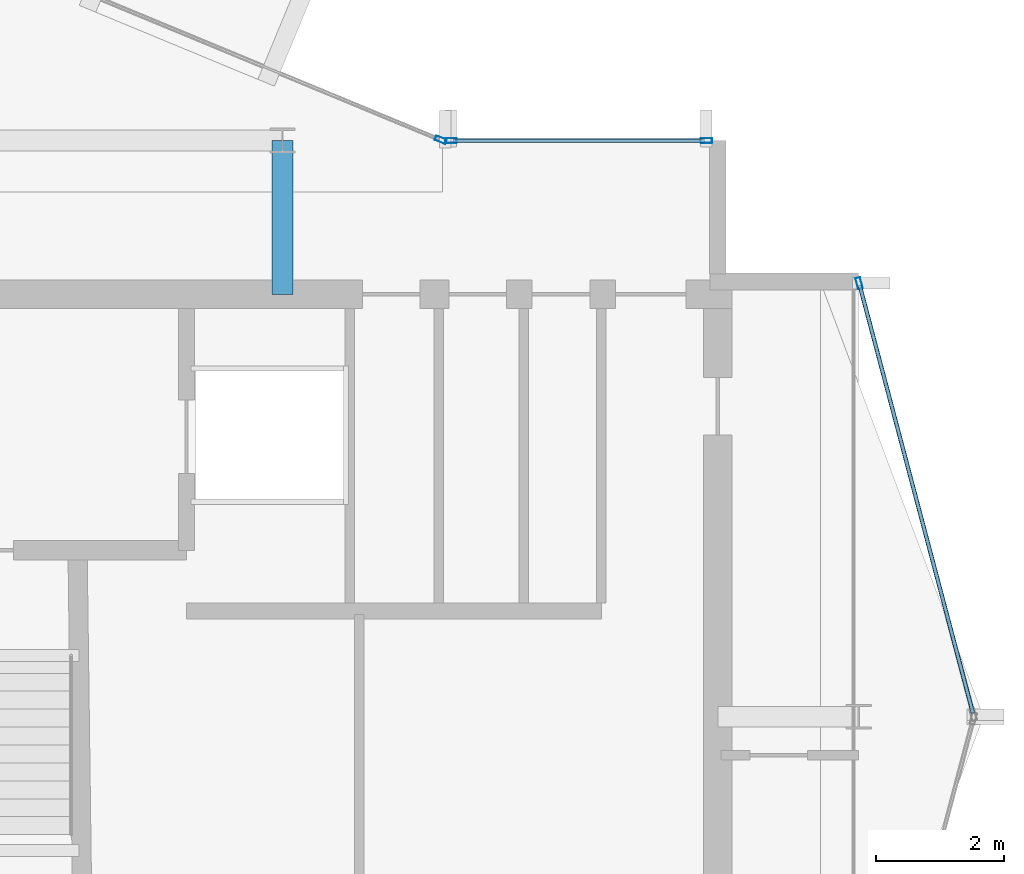
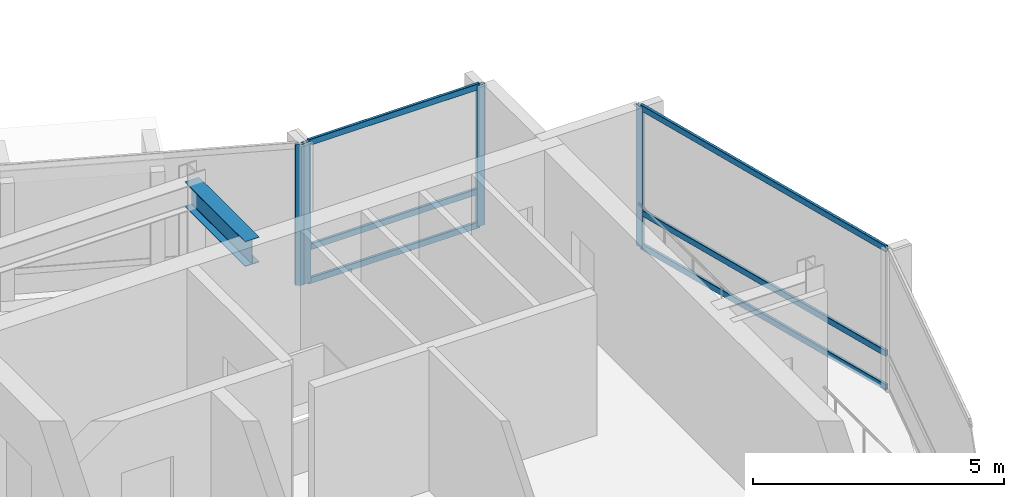
# One storey, part 10 of 19: 10 members, 1 beam, 3 elements without a shape of their own.
"""IFC4 building model written with IfcOpenShell, lengths in metres."""

from ifc_helpers import new_model, si_unit, direction, frame, origin, origin_2d, place, context, subcontext, project, spatial, hollow_rectangle, i_section, extrude, material, layer, layer_set, material_profile, profile_set, type_object, element, aggregate, save


model = new_model("IFC4")

# Units and contexts
model_context = context("Model", 3, precision=1e-05, world=origin(), true_north=direction((0.0, 1.0)))
body_context = subcontext(model_context, "Body", "Model", "MODEL_VIEW")
ifc_project = project(units=[si_unit("LENGTHUNIT", "METRE"), si_unit("AREAUNIT", "SQUARE_METRE"), si_unit("VOLUMEUNIT", "CUBIC_METRE"), si_unit("PLANEANGLEUNIT", "RADIAN"), si_unit("MASSUNIT", "GRAM", prefix="KILO")], contexts=[model_context])

# Site, building, storey
site_placement = place(None, origin())
site = spatial("IfcSite", under=ifc_project, at=site_placement, CompositionType="ELEMENT")
building_placement = place(site_placement, origin())
building = spatial("IfcBuilding", under=site, at=building_placement, Name="Solvaryn Broadcast Tower", CompositionType="ELEMENT")
storey_placement = place(building_placement, frame((0.0, 0.0, 255.60009765625)))
storey = spatial("IfcBuildingStorey", under=building, at=storey_placement, Name="L64", CompositionType="ELEMENT", Elevation=255.60009765625)

# Beam
ifc_material_1 = material(Name="Steel ASTM A992 Grade 50", Category="steel")
ifc_material_profile_1 = material_profile(ifc_material_1, i_section(OverallWidth=0.323974609375, OverallDepth=0.611083984375, WebThickness=0.0126953125, FlangeThickness=0.01904296875, FilletRadius=0.014892578125, at=origin_2d()))
ifc_profile_set_1 = profile_set([ifc_material_profile_1], Name="Steel ASTM A992 Grade 50")
beam_type = type_object("IfcBeamType", Name="BM-B1-W24X104", PredefinedType="BEAM", material=ifc_profile_set_1)
beam_placement = place(storey_placement, frame((36.0, 24.60009765625, 3.114501953125), z_axis=(0.0, 1.0, 0.0), x_axis=(-1.0, 0.0, 0.0)))
element("IfcBeam", 1, at=beam_placement, inside=storey, type_object=beam_type, Name="L64 Core Tie Beam CTE2", PredefinedType="BEAM", context=body_context, shape_type="SweptSolid", body=[
    extrude(i_section(OverallWidth=0.323974609375, OverallDepth=0.611083984375, WebThickness=0.0126953125, FlangeThickness=0.01904296875, FilletRadius=0.014892578125, at=origin_2d()), origin(), (0.0, 0.0, 1.0), 2.39990234375),
])

# Curtain wall, member
ifc_material_2 = material(Name="Aluminium and Terracotta Unitised Curtain Wall", Category="masonry")
ifc_layer = layer(ifc_material_2, 0.199951171875)
ifc_layer_set = layer_set([ifc_layer], Name="CW-SYS2-LOWMID")
curtain_wall_type = type_object("IfcCurtainWallType", Name="CW-SYS2-LOWMID", PredefinedType="NOTDEFINED", material=ifc_layer_set)
curtain_wall_1_placement = place(storey_placement, origin())
curtain_wall_1 = element("IfcCurtainWall", 2, at=curtain_wall_1_placement, inside=storey, type_object=curtain_wall_type, Name="L64 Curtain Wall CN1", PredefinedType="NOTDEFINED")
ifc_material_3 = material(Name="Anodised Aluminium 6063-T6", Category="aluminium")
ifc_material_profile_2 = material_profile(ifc_material_3, hollow_rectangle(XDim=0.074951171875, YDim=0.179931640625, WallThickness=0.00390625, InnerFilletRadius=0.00390625, OuterFilletRadius=0.008056640625, at=origin_2d()))
ifc_profile_set_2 = profile_set([ifc_material_profile_2], Name="Anodised Aluminium 6063-T6")
member_type_1 = type_object("IfcMemberType", Name="CW-MUL-180", PredefinedType="MULLION", material=ifc_profile_set_2)
member_1_placement = place(storey_placement, frame((38.47216796875, 27.011474609375, 0.0), z_axis=(0.0, 0.0, 1.0), x_axis=(-0.382646127145, -0.923894983957, 0.0)))
member_1 = element("IfcMember", 3, at=member_1_placement, type_object=member_type_1, Name="CWS2 mullion 1", PredefinedType="MULLION", context=body_context, shape_type="SweptSolid", body=[
    extrude(hollow_rectangle(XDim=0.074951171875, YDim=0.179931640625, WallThickness=0.00390625, InnerFilletRadius=0.00390625, OuterFilletRadius=0.008056640625, at=origin_2d()), origin(), (0.0, 0.0, 1.0), 3.419921875),
])
aggregate(curtain_wall_1, [member_1])

curtain_wall_2_placement = place(storey_placement, origin())
curtain_wall_2 = element("IfcCurtainWall", 4, at=curtain_wall_2_placement, inside=storey, type_object=curtain_wall_type, Name="L64 Curtain Wall ET1", PredefinedType="NOTDEFINED")
member_2_placement = place(storey_placement, frame((45.007568359375, 24.77099609375, 0.0), z_axis=(0.0, 0.0, 1.0), x_axis=(0.966705227863, 0.25589256031, 0.0)))
member_2 = element("IfcMember", 5, at=member_2_placement, type_object=member_type_1, Name="CWS2 mullion 1", PredefinedType="MULLION", context=body_context, shape_type="SweptSolid", body=[
    extrude(hollow_rectangle(XDim=0.074951171875, YDim=0.179931640625, WallThickness=0.00390625, InnerFilletRadius=0.00390625, OuterFilletRadius=0.008056640625, at=origin_2d()), origin(), (0.0, 0.0, 1.0), 3.419921875),
])

# Curtain wall, members
curtain_wall_3_placement = place(storey_placement, origin())
curtain_wall_3 = element("IfcCurtainWall", 6, at=curtain_wall_3_placement, inside=storey, type_object=curtain_wall_type, Name="L64 Curtain Wall IH", PredefinedType="NOTDEFINED")
member_3_placement = place(storey_placement, frame((38.6298828125, 27.0, 0.0), z_axis=(0.0, 0.0, 1.0), x_axis=(0.0, 1.0, 0.0)))
member_3 = element("IfcMember", 7, at=member_3_placement, type_object=member_type_1, Name="CWS2 mullion 1", PredefinedType="MULLION", context=body_context, shape_type="SweptSolid", body=[
    extrude(hollow_rectangle(XDim=0.074951171875, YDim=0.179931640625, WallThickness=0.00390625, InnerFilletRadius=0.00390625, OuterFilletRadius=0.008056640625, at=origin_2d()), origin(), (0.0, 0.0, 1.0), 3.419921875),
])
member_4_placement = place(storey_placement, frame((42.6201171875, 27.0, 0.0), z_axis=(0.0, 0.0, 1.0), x_axis=(0.0, 1.0, 0.0)))
member_4 = element("IfcMember", 8, at=member_4_placement, type_object=member_type_1, Name="CWS2 mullion 2", PredefinedType="MULLION", context=body_context, shape_type="SweptSolid", body=[
    extrude(hollow_rectangle(XDim=0.074951171875, YDim=0.179931640625, WallThickness=0.00390625, InnerFilletRadius=0.00390625, OuterFilletRadius=0.008056640625, at=origin_2d()), origin(), (0.0, 0.0, 1.0), 3.419921875),
])

# Member
ifc_material_4 = material(Name="Anodised Aluminium 6063-T6", Category="aluminium")
ifc_material_profile_3 = material_profile(ifc_material_4, hollow_rectangle(XDim=0.06494140625, YDim=0.14990234375, WallThickness=0.00390625, InnerFilletRadius=0.00390625, OuterFilletRadius=0.008056640625, at=origin_2d()))
ifc_profile_set_3 = profile_set([ifc_material_profile_3], Name="Anodised Aluminium 6063-T6")
member_type_2 = type_object("IfcMemberType", Name="CW-TRN-150", PredefinedType="USERDEFINED", material=ifc_profile_set_3)
member_5_placement = place(storey_placement, frame((45.015380859375, 24.741943359375, 0.02978515625), z_axis=(0.255897413051, -0.966703943301, 0.0), x_axis=(0.966703943301, 0.255897413051, 0.0)))
member_5 = element("IfcMember", 9, at=member_5_placement, type_object=member_type_2, Name="CWS2 transom 1.1", ObjectType="TRANSOM", PredefinedType="USERDEFINED", context=body_context, shape_type="SweptSolid", body=[
    extrude(hollow_rectangle(XDim=0.06494140625, YDim=0.14990234375, WallThickness=0.00390625, InnerFilletRadius=0.00390625, OuterFilletRadius=0.008056640625, at=origin_2d()), origin(), (0.0, 0.0, 1.0), 6.9140625),
])

member_6_placement = place(storey_placement, frame((45.015380859375, 24.741943359375, 0.849853515625), z_axis=(0.255897413051, -0.966703943301, 0.0), x_axis=(0.966703943301, 0.255897413051, 0.0)))
member_6 = element("IfcMember", 10, at=member_6_placement, type_object=member_type_2, Name="CWS2 transom 1.2", ObjectType="TRANSOM", PredefinedType="USERDEFINED", context=body_context, shape_type="SweptSolid", body=[
    extrude(hollow_rectangle(XDim=0.06494140625, YDim=0.14990234375, WallThickness=0.00390625, InnerFilletRadius=0.00390625, OuterFilletRadius=0.008056640625, at=origin_2d()), origin(), (0.0, 0.0, 1.0), 6.9140625),
])

member_7_placement = place(storey_placement, frame((45.015380859375, 24.741943359375, 3.389892578125), z_axis=(0.255897413051, -0.966703943301, 0.0), x_axis=(0.966703943301, 0.255897413051, 0.0)))
member_7 = element("IfcMember", 11, at=member_7_placement, type_object=member_type_2, Name="CWS2 transom 1.3", ObjectType="TRANSOM", PredefinedType="USERDEFINED", context=body_context, shape_type="SweptSolid", body=[
    extrude(hollow_rectangle(XDim=0.06494140625, YDim=0.14990234375, WallThickness=0.00390625, InnerFilletRadius=0.00390625, OuterFilletRadius=0.008056640625, at=origin_2d()), origin(), (0.0, 0.0, 1.0), 6.9140625),
])

aggregate(curtain_wall_2, [member_2, member_5, member_6, member_7])

member_8_placement = place(storey_placement, frame((38.659912109375, 27.0, 0.02978515625), z_axis=(1.0, 0.0, 0.0), x_axis=(0.0, 1.0, 0.0)))
member_8 = element("IfcMember", 12, at=member_8_placement, type_object=member_type_2, Name="CWS2 transom 1.1", ObjectType="TRANSOM", PredefinedType="USERDEFINED", context=body_context, shape_type="SweptSolid", body=[
    extrude(hollow_rectangle(XDim=0.06494140625, YDim=0.14990234375, WallThickness=0.00390625, InnerFilletRadius=0.00390625, OuterFilletRadius=0.008056640625, at=origin_2d()), origin(), (0.0, 0.0, 1.0), 3.93017578125),
])

member_9_placement = place(storey_placement, frame((38.659912109375, 27.0, 0.849853515625), z_axis=(1.0, 0.0, 0.0), x_axis=(0.0, 1.0, 0.0)))
member_9 = element("IfcMember", 13, at=member_9_placement, type_object=member_type_2, Name="CWS2 transom 1.2", ObjectType="TRANSOM", PredefinedType="USERDEFINED", context=body_context, shape_type="SweptSolid", body=[
    extrude(hollow_rectangle(XDim=0.06494140625, YDim=0.14990234375, WallThickness=0.00390625, InnerFilletRadius=0.00390625, OuterFilletRadius=0.008056640625, at=origin_2d()), origin(), (0.0, 0.0, 1.0), 3.93017578125),
])

member_10_placement = place(storey_placement, frame((38.659912109375, 27.0, 3.389892578125), z_axis=(1.0, 0.0, 0.0), x_axis=(0.0, 1.0, 0.0)))
member_10 = element("IfcMember", 14, at=member_10_placement, type_object=member_type_2, Name="CWS2 transom 1.3", ObjectType="TRANSOM", PredefinedType="USERDEFINED", context=body_context, shape_type="SweptSolid", body=[
    extrude(hollow_rectangle(XDim=0.06494140625, YDim=0.14990234375, WallThickness=0.00390625, InnerFilletRadius=0.00390625, OuterFilletRadius=0.008056640625, at=origin_2d()), origin(), (0.0, 0.0, 1.0), 3.93017578125),
])

aggregate(curtain_wall_3, [member_3, member_4, member_8, member_9, member_10])

save(model, "model.ifc")
